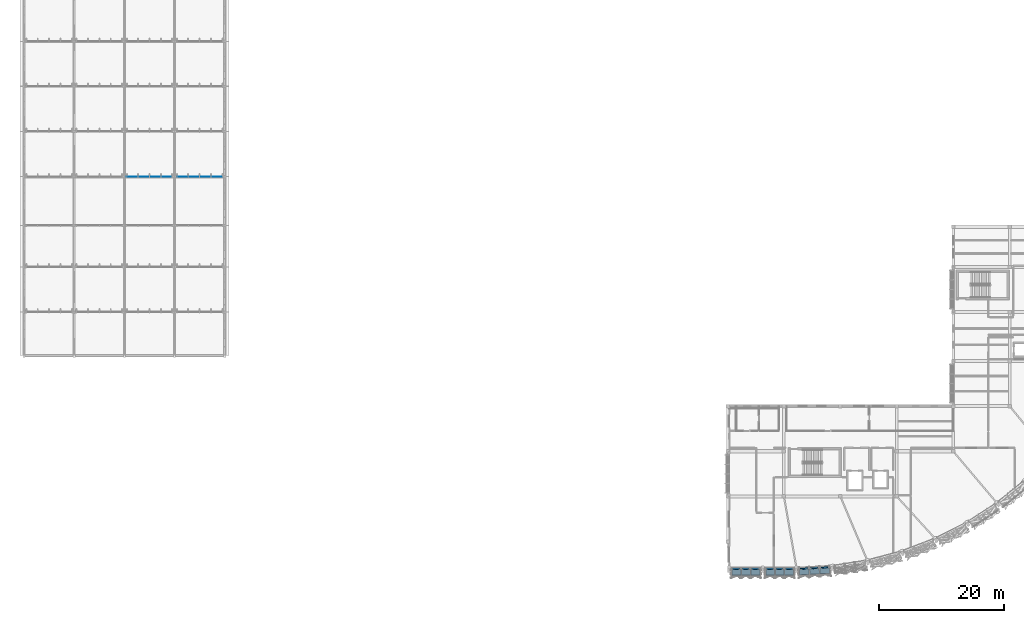
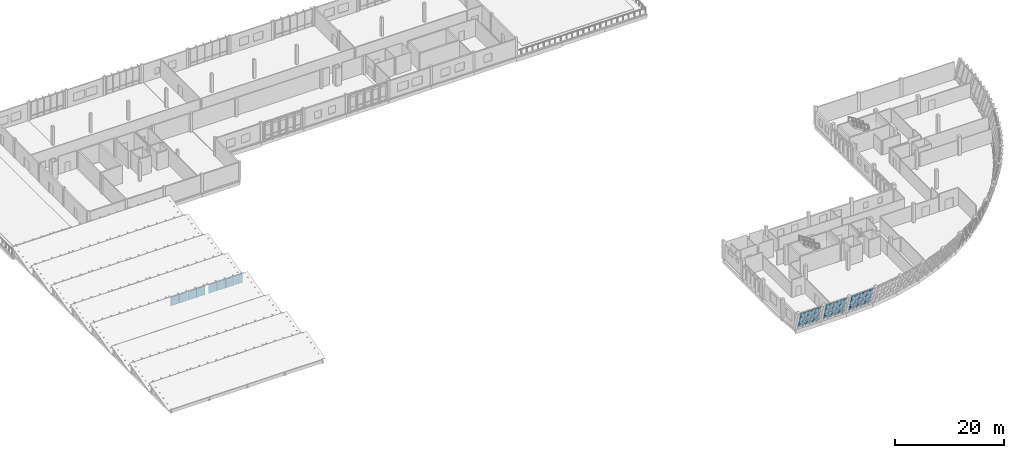
# One storey, part 72 of 94: 26 plates, 5 elements without a shape of their own.
"""IFC4 building model written with IfcOpenShell, lengths in metres."""

import ifcopenshell
import ifcopenshell.guid

model = None  # the IFC model being written
_history = None  # IfcOwnerHistory: only IFC2X3 demands one
_inside = {}  # id of a spatial element -> (the spatial element, [elements in it])
_under = {}  # id of a project, library or spatial element -> (it, [spatial elements below it])
_declared = {}  # id of a project -> (the project, [libraries it declares])
_typed = {}  # id of a type object -> (the type object, [elements of that type])
_made_of = {}  # id of a material, layer set ... -> (it, [elements and type objects made of it])


def new_model(schema):
    """Start an empty IFC model of exactly this schema.

    Asked for "IFC4X3", IfcOpenShell would pick the latest addendum, in which some entities
    have other attributes; the version numbers below select the first issue.
    IFC2X3 requires an IfcOwnerHistory on every rooted entity: one is made here for all.
    """
    global model, _history
    if schema == "IFC4X3":
        model = ifcopenshell.file(schema_version=(4, 3, 0, 0))
    else:
        model = ifcopenshell.file(schema=schema)
    _inside.clear()
    _under.clear()
    _declared.clear()
    _typed.clear()
    _made_of.clear()
    _history = None
    if model.schema == "IFC2X3":
        org = make("IfcOrganization", Name="unknown")
        user = make(
            "IfcPersonAndOrganization",
            ThePerson=make("IfcPerson", FamilyName="unknown"),
            TheOrganization=org,
        )
        app = make(
            "IfcApplication",
            ApplicationDeveloper=org,
            Version="unknown",
            ApplicationFullName="unknown",
            ApplicationIdentifier="unknown",
        )
        _history = make(
            "IfcOwnerHistory",
            OwningUser=user,
            OwningApplication=app,
            ChangeAction="ADDED",
            CreationDate=0,
        )
    return model


def make(cls, **values):
    """One entity of the class cls with the attributes given. An attribute that is None is left unset."""
    return model.create_entity(
        cls, **{name: value for name, value in values.items() if value is not None}
    )


def rooted(cls, **values):
    """An entity with a GlobalId (a new one), such as an element, a storey or a relation."""
    return make(cls, GlobalId=ifcopenshell.guid.new(), OwnerHistory=_history, **values)


def si_unit(unit_type, name, prefix=None):
    """IfcSIUnit, for example si_unit("LENGTHUNIT", "METRE", prefix="MILLI")."""
    return make("IfcSIUnit", UnitType=unit_type, Prefix=prefix, Name=name)


def assignment(units):
    """IfcUnitAssignment: the units of a project."""
    return None if units is None else make("IfcUnitAssignment", Units=units)


def point(xyz):
    """IfcCartesianPoint."""
    return None if xyz is None else make("IfcCartesianPoint", Coordinates=xyz)


def direction(xyz):
    """IfcDirection."""
    return None if xyz is None else make("IfcDirection", DirectionRatios=xyz)


def frame(location, z_axis=None, x_axis=None):
    """IfcAxis2Placement3D, a coordinate frame: its origin and axes. An axis left out is left unset."""
    return make(
        "IfcAxis2Placement3D",
        Location=point(location),
        Axis=direction(z_axis),
        RefDirection=direction(x_axis),
    )


def frame_2d(location, x_axis=None):
    """IfcAxis2Placement2D, a coordinate frame in the plane: its origin and x axis."""
    return make(
        "IfcAxis2Placement2D", Location=point(location), RefDirection=direction(x_axis)
    )


def origin():
    """The frame at (0, 0, 0) with its axes left unset."""
    return frame((0.0, 0.0, 0.0))


def origin_2d():
    """The frame at (0, 0) in the plane with its x axis left unset."""
    return frame_2d((0.0, 0.0))


def place(relative_to, where):
    """IfcLocalPlacement: puts the frame where relative to a parent placement (None: the world)."""
    return make(
        "IfcLocalPlacement", PlacementRelTo=relative_to, RelativePlacement=where
    )


def context(
    kind, dimensions, precision=None, world=None, true_north=None, identifier=None
):
    """IfcGeometricRepresentationContext, for example the 3D "Model" context."""
    return make(
        "IfcGeometricRepresentationContext",
        ContextIdentifier=identifier,
        ContextType=kind,
        CoordinateSpaceDimension=dimensions,
        Precision=precision,
        WorldCoordinateSystem=world,
        TrueNorth=true_north,
    )


def subcontext(parent, identifier, kind, view, scale=None):
    """IfcGeometricRepresentationSubContext, for example "Body" below "Model"."""
    return make(
        "IfcGeometricRepresentationSubContext",
        ContextIdentifier=identifier,
        ContextType=kind,
        ParentContext=parent,
        TargetScale=scale,
        TargetView=view,
    )


def project(units=None, contexts=None):
    """IfcProject with its units and contexts."""
    return rooted(
        "IfcProject",
        Name="project",
        RepresentationContexts=contexts,
        UnitsInContext=assignment(units),
    )


def spatial(cls, under=None, at=None, **own):
    """A site, building, storey or space (cls), placed at a placement, below another one or the project."""
    s = rooted(cls, ObjectPlacement=at, **own)
    if under is not None:
        _under.setdefault(under.id(), (under, []))[1].append(s)
    return s


def polyline(points):
    """IfcPolyline through the points."""
    return make("IfcPolyline", Points=[point(p) for p in points])


def profile(cls, at=None, kind="AREA", **sizes):
    """A parametric profile (cls). Its sizes go by their IFC names, for example OverallWidth=200.0."""
    return make(cls, ProfileType=kind, Position=at, **sizes)


def rectangle(**sizes):
    """IfcRectangleProfileDef."""
    return profile("IfcRectangleProfileDef", **sizes)


def outline(outer, holes=None, kind="AREA"):
    """IfcArbitraryClosedProfileDef: a profile drawn as a closed curve; with holes, ...WithVoids."""
    if holes is None:
        return make("IfcArbitraryClosedProfileDef", ProfileType=kind, OuterCurve=outer)
    return make(
        "IfcArbitraryProfileDefWithVoids",
        ProfileType=kind,
        OuterCurve=outer,
        InnerCurves=holes,
    )


def extrude(swept, where, along, depth):
    """IfcExtrudedAreaSolid: the profile swept, set in the frame where, extruded along a direction by depth."""
    return make(
        "IfcExtrudedAreaSolid",
        SweptArea=swept,
        Position=where,
        ExtrudedDirection=direction(along),
        Depth=depth,
    )


def shape(context_of_items, identifier, shape_type, items):
    """IfcShapeRepresentation: the items that make up one representation, for example the "Body"."""
    return make(
        "IfcShapeRepresentation",
        ContextOfItems=context_of_items,
        RepresentationIdentifier=identifier,
        RepresentationType=shape_type,
        Items=items,
    )


def material(Name=None, Category=None):
    """IfcMaterial."""
    return make("IfcMaterial", Name=Name, Category=Category)


def layer(
    of_material, thickness, ventilated=None, Name=None, Category=None, Priority=None
):
    """IfcMaterialLayer: one layer of a wall or slab, of a material (None: an air gap)."""
    return make(
        "IfcMaterialLayer",
        Material=of_material,
        LayerThickness=thickness,
        IsVentilated=ventilated,
        Name=Name,
        Category=Category,
        Priority=Priority,
    )


def layer_set(layers, Name=None):
    """IfcMaterialLayerSet."""
    return make("IfcMaterialLayerSet", MaterialLayers=layers, LayerSetName=Name)


def made_of(thing, what):
    """Note that an element or type object is made of a material, layer set ...; save() writes the relation."""
    if what is not None:
        _made_of.setdefault(what.id(), (what, []))[1].append(thing)
    return thing


def type_object(cls, material=None, **own):
    """A type object (cls), such as IfcWallType, which elements share."""
    return made_of(rooted(cls, **own), material)


def element(
    cls,
    number,
    at=None,
    inside=None,
    cuts=None,
    type_object=None,
    material=None,
    context=None,
    identifier="Body",
    shape_type=None,
    held_by="IfcProductDefinitionShape",
    body=None,
    shapes=None,
    **own,
):
    """One element of the class cls, such as IfcWall. Its Tag is "e" and its number.

    at: its placement. inside: the storey or other place that contains it. cuts: it is an
    opening in that element (IfcRelVoidsElement). A single representation is given by context,
    identifier, shape_type and body (its items); several are given by shapes. held_by: the class
    of the entity that holds the representations. save() writes the other relations.
    """
    e = rooted(cls, Tag="e%d" % number, ObjectPlacement=at, **own)
    if body is not None:
        shapes = [shape(context, identifier, shape_type, body)]
    if shapes is not None:
        e.Representation = make(held_by, Representations=shapes)
    if inside is not None:
        _inside.setdefault(inside.id(), (inside, []))[1].append(e)
    if cuts is not None:
        rooted(
            "IfcRelVoidsElement", RelatingBuildingElement=cuts, RelatedOpeningElement=e
        )
    if type_object is not None:
        _typed.setdefault(type_object.id(), (type_object, []))[1].append(e)
    return made_of(e, material)


def aggregate(whole, parts):
    """IfcRelAggregates: a whole, such as a stair, and the parts it consists of."""
    return rooted("IfcRelAggregates", RelatingObject=whole, RelatedObjects=parts)


def save(model, path):
    """Write the relations noted so far, then the file.

    IfcRelAggregates (storeys below a building ...), IfcRelContainedInSpatialStructure (elements
    in a storey), IfcRelDefinesByType, IfcRelAssociatesMaterial and IfcRelDeclares: one each for
    every whole, place, type object, material and project.
    """
    for whole, parts in _under.values():
        aggregate(whole, parts)
    for where, things in _inside.values():
        rooted(
            "IfcRelContainedInSpatialStructure",
            RelatedElements=things,
            RelatingStructure=where,
        )
    for kind, things in _typed.values():
        rooted("IfcRelDefinesByType", RelatedObjects=things, RelatingType=kind)
    for what, things in _made_of.values():
        rooted("IfcRelAssociatesMaterial", RelatedObjects=things, RelatingMaterial=what)
    for by, libraries in _declared.values():
        rooted("IfcRelDeclares", RelatingContext=by, RelatedDefinitions=libraries)
    model.write(path)


model = new_model("IFC4")

# Units and contexts
model_context = context("Model", 3, precision=1e-05, world=origin(), true_north=direction((0.0, 1.0)))
body_context = subcontext(model_context, "Body", "Model", "MODEL_VIEW")
ifc_project = project(units=[si_unit("LENGTHUNIT", "METRE"), si_unit("AREAUNIT", "SQUARE_METRE"), si_unit("VOLUMEUNIT", "CUBIC_METRE"), si_unit("PLANEANGLEUNIT", "RADIAN"), si_unit("MASSUNIT", "GRAM", prefix="KILO")], contexts=[model_context])

# Site, building, storey
site_placement = place(None, origin())
site = spatial("IfcSite", under=ifc_project, at=site_placement, CompositionType="ELEMENT")
building_placement = place(site_placement, origin())
building = spatial("IfcBuilding", under=site, at=building_placement, Name="Chiffa Square Polytechnic", CompositionType="ELEMENT")
storey_placement = place(building_placement, frame((0.0, 0.0, 18.0)))
storey = spatial("IfcBuildingStorey", under=building, at=storey_placement, Name="L04", CompositionType="ELEMENT", Elevation=18.0)

# Curtain wall, plates
ifc_material_1 = material(Name="Aluminium EN AW-6060 T66 and glulam shading", Category="wood")
curtain_wall_type_1 = type_object("IfcCurtainWallType", Name="CW-PROW-LEAN-150", PredefinedType="USERDEFINED", material=ifc_material_1)
curtain_wall_1_placement = place(storey_placement, origin())
curtain_wall_1 = element("IfcCurtainWall", 1, at=curtain_wall_1_placement, inside=storey, type_object=curtain_wall_type_1, Name="Outward-leaning diamond-fin prow curtain wall CW-V1-L04-063", ObjectType="CURTAIN WALL", PredefinedType="USERDEFINED")
ifc_material_2 = material(Name="Double glazing", Category="glass")
ifc_layer_1 = layer(ifc_material_2, 0.0439453125, Name="Double glazing")
ifc_layer_set_1 = layer_set([ifc_layer_1], Name="Double glazing")
plate_type_1 = type_object("IfcPlateType", Name="CWP-GLZ-132X114", PredefinedType="CURTAIN_PANEL", material=ifc_layer_set_1)
plate_1_placement = place(storey_placement, frame((123.687255859375, 2.75048828125, 0.8779296875), z_axis=(-0.050191727334, 0.96100117444, 0.271951343502), x_axis=(0.998638902456, 0.052156902683, 2.084064e-06)))
plate_1 = element("IfcPlate", 2, at=plate_1_placement, type_object=plate_type_1, Name="Leaning prow curtain panel CW-V1-L04-063-PN01", PredefinedType="CURTAIN_PANEL", context=body_context, shape_type="SweptSolid", body=[
    extrude(outline(polyline([(0.0, 0.0), (1.502777270302049, 0.0), (1.4868560689312402, -3.135251218373087), (-0.04354794389854448, -3.1352577872933116), (0.0, 0.0)])), origin(), (0.0, 0.0, -1.0), 0.0439453125),
])
plate_2_placement = place(storey_placement, frame((125.304443359375, 2.8349609375, 0.8779296875), z_axis=(-0.050110616696, 0.961008550171, 0.271940237171), x_axis=(0.998643016675, 0.052078065706, -1.7831108e-05)))
plate_2 = element("IfcPlate", 3, at=plate_2_placement, type_object=plate_type_1, Name="Leaning prow curtain panel CW-V1-L04-063-PN02", PredefinedType="CURTAIN_PANEL", context=body_context, shape_type="SweptSolid", body=[
    extrude(outline(polyline([(0.0, 0.0), (1.5030210755887357, 3.469446951953614e-18), (1.5166843134185324, -3.1352723165332166), (-0.013706979014970248, -3.13521610920877), (0.0, 0.0)])), origin(), (0.0, 0.0, -1.0), 0.0439453125),
])
plate_3_placement = place(storey_placement, frame((126.921875, 2.91943359375, 0.8779296875), z_axis=(-0.050192054732, 0.961007442998, 0.27192913074), x_axis=(0.998638902451, 0.052156902779, 2.083907e-06)))
plate_3 = element("IfcPlate", 4, at=plate_3_placement, type_object=plate_type_1, Name="Leaning prow curtain panel CW-V1-L04-063-PN03", PredefinedType="CURTAIN_PANEL", context=body_context, shape_type="SweptSolid", body=[
    extrude(outline(polyline([(0.0, 0.0), (1.5027772703020486, 3.469446951953614e-18), (1.5462670285894504, -3.1352306390224247), (0.015863015759663705, -3.1352372074061057), (0.0, 0.0)])), origin(), (0.0, 0.0, -1.0), 0.0439453125),
])

curtain_wall_type_2 = type_object("IfcCurtainWallType", Name="CW-PROW-LEAN-300", PredefinedType="USERDEFINED", material=ifc_material_1)
curtain_wall_2_placement = place(storey_placement, origin())
curtain_wall_2 = element("IfcCurtainWall", 5, at=curtain_wall_2_placement, inside=storey, type_object=curtain_wall_type_2, Name="Outward-leaning diamond-fin prow curtain wall CW-V1-L04-062", ObjectType="CURTAIN WALL", PredefinedType="USERDEFINED")
ifc_layer_2 = layer(ifc_material_2, 0.0439453125, Name="Double glazing")
ifc_layer_set_2 = layer_set([ifc_layer_2], Name="Double glazing")
plate_type_2 = type_object("IfcPlateType", Name="CWP-GLZ-134X118", PredefinedType="CURTAIN_PANEL", material=ifc_layer_set_2)
plate_4_placement = place(storey_placement, frame((118.30908203125, 2.724609375, 0.8779296875), z_axis=(0.0, 0.962196806746, 0.272355108431), x_axis=(1.0, 0.0, 0.0)))
plate_4 = element("IfcPlate", 6, at=plate_4_placement, type_object=plate_type_2, Name="Leaning prow curtain panel CW-V1-L04-062-PN01", PredefinedType="CURTAIN_PANEL", context=body_context, shape_type="SweptSolid", body=[
    extrude(outline(polyline([(0.0, 0.0), (1.396728515625, 0.0), (1.396728515625, -3.135626539808218), (0.0, -3.135626539808218), (0.0, 0.0)])), origin(), (0.0, 0.0, -1.0), 0.0439453125),
])
plate_5_placement = place(storey_placement, frame((119.814208984375, 2.724609375, 0.8779296875), z_axis=(0.0, 0.962196806746, 0.272355108431), x_axis=(1.0, 0.0, 0.0)))
plate_5 = element("IfcPlate", 7, at=plate_5_placement, type_object=plate_type_2, Name="Leaning prow curtain panel CW-V1-L04-062-PN02", PredefinedType="CURTAIN_PANEL", context=body_context, shape_type="SweptSolid", body=[
    extrude(outline(polyline([(0.0, 0.0), (1.396484375, 0.0), (1.396484375, -3.1356265398082184), (0.0, -3.1356265398082184), (0.0, 0.0)])), origin(), (0.0, 0.0, -1.0), 0.0439453125),
])
plate_6_placement = place(storey_placement, frame((121.319091796875, 2.724609375, 0.8779296875), z_axis=(0.0, 0.962196806746, 0.272355108431), x_axis=(1.0, 0.0, 0.0)))
plate_6 = element("IfcPlate", 8, at=plate_6_placement, type_object=plate_type_2, Name="Leaning prow curtain panel CW-V1-L04-062-PN03", PredefinedType="CURTAIN_PANEL", context=body_context, shape_type="SweptSolid", body=[
    extrude(outline(polyline([(0.0, 0.0), (1.396728515625, 0.0), (1.396728515625, -3.135626539808218), (0.0, -3.135626539808218), (0.0, 0.0)])), origin(), (0.0, 0.0, -1.0), 0.0439453125),
])

curtain_wall_3_placement = place(storey_placement, origin())
curtain_wall_3 = element("IfcCurtainWall", 9, at=curtain_wall_3_placement, inside=storey, type_object=curtain_wall_type_1, Name="Outward-leaning diamond-fin prow curtain wall CW-V1-L04-061", ObjectType="CURTAIN WALL", PredefinedType="USERDEFINED")
ifc_layer_3 = layer(ifc_material_2, 0.0419921875, Name="Double glazing")
ifc_layer_set_3 = layer_set([ifc_layer_3], Name="Double glazing")
plate_type_3 = type_object("IfcPlateType", Name="CWP-GLZ-136X122", PredefinedType="CURTAIN_PANEL", material=ifc_layer_set_3)
plate_7_placement = place(storey_placement, frame((112.93408203125, 2.724609375, 0.8779296875), z_axis=(0.0, 0.962196806746, 0.272355108431), x_axis=(1.0, 0.0, 0.0)))
plate_7 = element("IfcPlate", 10, at=plate_7_placement, type_object=plate_type_3, Name="Leaning prow curtain panel CW-V1-L04-061-PN01", PredefinedType="CURTAIN_PANEL", context=body_context, shape_type="SweptSolid", body=[
    extrude(outline(polyline([(0.0, 0.0), (1.396728515625, 0.0), (1.396728515625, -3.135626539808218), (0.0, -3.135626539808218), (0.0, 0.0)])), origin(), (0.0, 0.0, -1.0), 0.0419921875),
])
plate_8_placement = place(storey_placement, frame((114.439208984375, 2.724609375, 0.8779296875), z_axis=(0.0, 0.962196806746, 0.272355108431), x_axis=(1.0, 0.0, 0.0)))
plate_8 = element("IfcPlate", 11, at=plate_8_placement, type_object=plate_type_3, Name="Leaning prow curtain panel CW-V1-L04-061-PN02", PredefinedType="CURTAIN_PANEL", context=body_context, shape_type="SweptSolid", body=[
    extrude(outline(polyline([(0.0, 0.0), (1.396484375, 0.0), (1.396484375, -3.1356265398082184), (0.0, -3.1356265398082184), (0.0, 0.0)])), origin(), (0.0, 0.0, -1.0), 0.0419921875),
])
plate_9_placement = place(storey_placement, frame((115.944091796875, 2.724609375, 0.8779296875), z_axis=(0.0, 0.962196806746, 0.272355108431), x_axis=(1.0, 0.0, 0.0)))
plate_9 = element("IfcPlate", 12, at=plate_9_placement, type_object=plate_type_3, Name="Leaning prow curtain panel CW-V1-L04-061-PN03", PredefinedType="CURTAIN_PANEL", context=body_context, shape_type="SweptSolid", body=[
    extrude(outline(polyline([(0.0, 0.0), (1.396728515625, 0.0), (1.396728515625, -3.135626539808218), (0.0, -3.135626539808218), (0.0, 0.0)])), origin(), (0.0, 0.0, -1.0), 0.0419921875),
])

curtain_wall_type_3 = type_object("IfcCurtainWallType", Name="CW-VERT-540X440", PredefinedType="USERDEFINED", material=ifc_material_1)
curtain_wall_4_placement = place(storey_placement, origin())
curtain_wall_4 = element("IfcCurtainWall", 13, at=curtain_wall_4_placement, inside=storey, type_object=curtain_wall_type_3, Name="Curtain wall CW-V6-SAW4-3", ObjectType="CURTAIN WALL", PredefinedType="USERDEFINED")
ifc_layer_4 = layer(ifc_material_2, 0.035888671875, Name="Double glazing")
ifc_layer_set_4 = layer_set([ifc_layer_4], Name="Double glazing")
plate_type_4 = type_object("IfcPlateType", Name="CWP-GLZ-150X145", PredefinedType="CURTAIN_PANEL", material=ifc_layer_set_4)
plate_10_placement = place(storey_placement, frame((22.718994140625, 65.39990234375, 0.75), z_axis=(0.0, 0.0, 1.0), x_axis=(-1.0, 0.0, 0.0)))
plate_10 = element("IfcPlate", 14, at=plate_10_placement, type_object=plate_type_4, Name="Glazed curtain panel CW-V6-SAW4-3-PN01", PredefinedType="CURTAIN_PANEL", context=body_context, shape_type="SweptSolid", body=[
    extrude(rectangle(XDim=1.74609375, YDim=0.035888671875, at=origin_2d()), origin(), (0.0, 0.0, 1.0), 1.93994140625),
])
plate_11_placement = place(storey_placement, frame((20.909912109375, 65.39990234375, 0.75), z_axis=(0.0, 0.0, 1.0), x_axis=(-1.0, 0.0, 0.0)))
plate_11 = element("IfcPlate", 15, at=plate_11_placement, type_object=plate_type_4, Name="Glazed curtain panel CW-V6-SAW4-3-PN02", PredefinedType="CURTAIN_PANEL", context=body_context, shape_type="SweptSolid", body=[
    extrude(rectangle(XDim=1.76806640625, YDim=0.035888671875, at=origin_2d()), origin(), (0.0, 0.0, 1.0), 1.93994140625),
])
plate_12_placement = place(storey_placement, frame((19.090087890625, 65.39990234375, 0.75), z_axis=(0.0, 0.0, 1.0), x_axis=(-1.0, 0.0, 0.0)))
plate_12 = element("IfcPlate", 16, at=plate_12_placement, type_object=plate_type_4, Name="Glazed curtain panel CW-V6-SAW4-3-PN03", PredefinedType="CURTAIN_PANEL", context=body_context, shape_type="SweptSolid", body=[
    extrude(rectangle(XDim=1.76806640625, YDim=0.035888671875, at=origin_2d()), origin(), (0.0, 0.0, 1.0), 1.93994140625),
])
plate_13_placement = place(storey_placement, frame((17.281005859375, 65.39990234375, 0.75), z_axis=(0.0, 0.0, 1.0), x_axis=(-1.0, 0.0, 0.0)))
plate_13 = element("IfcPlate", 17, at=plate_13_placement, type_object=plate_type_4, Name="Glazed curtain panel CW-V6-SAW4-3-PN04", PredefinedType="CURTAIN_PANEL", context=body_context, shape_type="SweptSolid", body=[
    extrude(rectangle(XDim=1.74609375, YDim=0.035888671875, at=origin_2d()), origin(), (0.0, 0.0, 1.0), 1.93994140625),
])
aggregate(curtain_wall_4, [plate_10, plate_11, plate_12, plate_13])

curtain_wall_type_4 = type_object("IfcCurtainWallType", Name="CW-VERT-450X440", PredefinedType="USERDEFINED", material=ifc_material_1)
curtain_wall_5_placement = place(storey_placement, origin())
curtain_wall_5 = element("IfcCurtainWall", 18, at=curtain_wall_5_placement, inside=storey, type_object=curtain_wall_type_4, Name="Curtain wall CW-V6-SAW4-4", ObjectType="CURTAIN WALL", PredefinedType="USERDEFINED")
plate_14_placement = place(storey_placement, frame((30.718994140625, 65.39990234375, 0.75), z_axis=(0.0, 0.0, 1.0), x_axis=(-1.0, 0.0, 0.0)))
plate_14 = element("IfcPlate", 19, at=plate_14_placement, type_object=plate_type_4, Name="Glazed curtain panel CW-V6-SAW4-4-PN01", PredefinedType="CURTAIN_PANEL", context=body_context, shape_type="SweptSolid", body=[
    extrude(rectangle(XDim=1.74609375, YDim=0.035888671875, at=origin_2d()), origin(), (0.0, 0.0, 1.0), 1.93994140625),
])
plate_15_placement = place(storey_placement, frame((28.909912109375, 65.39990234375, 0.75), z_axis=(0.0, 0.0, 1.0), x_axis=(-1.0, 0.0, 0.0)))
plate_15 = element("IfcPlate", 20, at=plate_15_placement, type_object=plate_type_4, Name="Glazed curtain panel CW-V6-SAW4-4-PN02", PredefinedType="CURTAIN_PANEL", context=body_context, shape_type="SweptSolid", body=[
    extrude(rectangle(XDim=1.76806640625, YDim=0.035888671875, at=origin_2d()), origin(), (0.0, 0.0, 1.0), 1.93994140625),
])
plate_16_placement = place(storey_placement, frame((27.090087890625, 65.39990234375, 0.75), z_axis=(0.0, 0.0, 1.0), x_axis=(-1.0, 0.0, 0.0)))
plate_16 = element("IfcPlate", 21, at=plate_16_placement, type_object=plate_type_4, Name="Glazed curtain panel CW-V6-SAW4-4-PN03", PredefinedType="CURTAIN_PANEL", context=body_context, shape_type="SweptSolid", body=[
    extrude(rectangle(XDim=1.76806640625, YDim=0.035888671875, at=origin_2d()), origin(), (0.0, 0.0, 1.0), 1.93994140625),
])
plate_17_placement = place(storey_placement, frame((25.281005859375, 65.39990234375, 0.75), z_axis=(0.0, 0.0, 1.0), x_axis=(-1.0, 0.0, 0.0)))
plate_17 = element("IfcPlate", 22, at=plate_17_placement, type_object=plate_type_4, Name="Glazed curtain panel CW-V6-SAW4-4-PN04", PredefinedType="CURTAIN_PANEL", context=body_context, shape_type="SweptSolid", body=[
    extrude(rectangle(XDim=1.74609375, YDim=0.035888671875, at=origin_2d()), origin(), (0.0, 0.0, 1.0), 1.93994140625),
])
aggregate(curtain_wall_5, [plate_14, plate_15, plate_16, plate_17])

# Plate
ifc_material_3 = material(Name="Aluminium insulated spandrel", Category="aluminium")
ifc_layer_5 = layer(ifc_material_3, 0.072021484375, Name="Aluminium insulated spandrel")
ifc_layer_set_5 = layer_set([ifc_layer_5], Name="Aluminium insulated spandrel")
plate_type_5 = type_object("IfcPlateType", Name="CWP-SPN-136X072", PredefinedType="SHEET", material=ifc_layer_set_5)
plate_18_placement = place(storey_placement, frame((112.93408203125, 2.958984375, 0.050048828125), z_axis=(0.0, 0.962198523194, 0.272349044358), x_axis=(1.0, 0.0, 0.0)))
plate_18 = element("IfcPlate", 23, at=plate_18_placement, type_object=plate_type_5, Name="Leaning prow curtain panel CW-V1-L04-061-SP01", PredefinedType="SHEET", context=body_context, shape_type="SweptSolid", body=[
    extrude(outline(polyline([(0.0, 0.0), (1.396728515625, 0.0), (1.396728515625, -0.8023008117775327), (0.0, -0.8023008117775327), (0.0, 0.0)])), origin(), (0.0, 0.0, -1.0), 0.072021484375),
])

plate_19_placement = place(storey_placement, frame((114.439208984375, 2.958984375, 0.050048828125), z_axis=(0.0, 0.962198523194, 0.272349044358), x_axis=(1.0, 0.0, 0.0)))
plate_19 = element("IfcPlate", 24, at=plate_19_placement, type_object=plate_type_5, Name="Leaning prow curtain panel CW-V1-L04-061-SP02", PredefinedType="SHEET", context=body_context, shape_type="SweptSolid", body=[
    extrude(outline(polyline([(0.0, 0.0), (1.396484375, 0.0), (1.396484375, -0.8023008117775327), (0.0, -0.8023008117775327), (0.0, 0.0)])), origin(), (0.0, 0.0, -1.0), 0.072021484375),
])

plate_20_placement = place(storey_placement, frame((115.944091796875, 2.958984375, 0.050048828125), z_axis=(0.0, 0.962198523194, 0.272349044358), x_axis=(1.0, 0.0, 0.0)))
plate_20 = element("IfcPlate", 25, at=plate_20_placement, type_object=plate_type_5, Name="Leaning prow curtain panel CW-V1-L04-061-SP03", PredefinedType="SHEET", context=body_context, shape_type="SweptSolid", body=[
    extrude(outline(polyline([(0.0, 0.0), (1.396728515625, 0.0), (1.396728515625, -0.8023008117775327), (0.0, -0.8023008117775327), (0.0, 0.0)])), origin(), (0.0, 0.0, -1.0), 0.072021484375),
])

aggregate(curtain_wall_3, [plate_18, plate_7, plate_19, plate_8, plate_20, plate_9])

ifc_layer_6 = layer(ifc_material_3, 0.06005859375, Name="Aluminium insulated spandrel")
ifc_layer_set_6 = layer_set([ifc_layer_6], Name="Aluminium insulated spandrel")
plate_type_6 = type_object("IfcPlateType", Name="CWP-SPN-150X080", PredefinedType="SHEET", material=ifc_layer_set_6)
plate_21_placement = place(storey_placement, frame((123.68701171875, 2.98486328125, 0.050048828125), z_axis=(-0.050238527183, 0.960958785952, 0.272092451362), x_axis=(0.998636054691, 0.052211398664, -1.1017187e-05)))
plate_21 = element("IfcPlate", 26, at=plate_21_placement, type_object=plate_type_6, Name="Leaning prow curtain panel CW-V1-L04-063-SP01", PredefinedType="SHEET", context=body_context, shape_type="SweptSolid", body=[
    extrude(outline(polyline([(0.0, 0.0), (1.4952064839015355, -3.469446951953614e-18), (1.491116458239871, -0.8022573602494769), (-0.0111731938708182, -0.8022230414647458), (0.0, 0.0)])), origin(), (0.0, 0.0, -1.0), 0.06005859375),
])

plate_22_placement = place(storey_placement, frame((125.296142578125, 3.06884765625, 0.050048828125), z_axis=(-0.05024010278, 0.960988923854, 0.271985698709), x_axis=(0.998636054818, 0.052211396224, -1.101321e-05)))
plate_22 = element("IfcPlate", 27, at=plate_22_placement, type_object=plate_type_6, Name="Leaning prow curtain panel CW-V1-L04-063-SP02", PredefinedType="SHEET", context=body_context, shape_type="SweptSolid", body=[
    extrude(outline(polyline([(0.0, 0.0), (1.4952064839014592, 0.0), (1.4986999922371418, -0.8022322810105714), (-0.0035896598737788087, -0.8021979756904597), (0.0, 0.0)])), origin(), (0.0, 0.0, -1.0), 0.06005859375),
])

plate_23_placement = place(storey_placement, frame((126.9052734375, 3.15283203125, 0.050048828125), z_axis=(-0.050241677858, 0.961019051818, 0.271878936015), x_axis=(0.998636054946, 0.052211393784, -1.1009232e-05)))
plate_23 = element("IfcPlate", 28, at=plate_23_placement, type_object=plate_type_6, Name="Leaning prow curtain panel CW-V1-L04-063-SP03", PredefinedType="SHEET", context=body_context, shape_type="SweptSolid", body=[
    extrude(outline(polyline([(0.0, 0.0), (1.4952064839013819, 3.469446951953614e-18), (1.506283526234413, -0.8022072115763037), (0.003993874123261409, -0.8021729197220779), (0.0, 0.0)])), origin(), (0.0, 0.0, -1.0), 0.06005859375),
])

aggregate(curtain_wall_1, [plate_21, plate_1, plate_22, plate_2, plate_23, plate_3])

ifc_layer_7 = layer(ifc_material_3, 0.06005859375, Name="Aluminium insulated spandrel")
ifc_layer_set_7 = layer_set([ifc_layer_7], Name="Aluminium insulated spandrel")
plate_type_7 = type_object("IfcPlateType", Name="CWP-SPN-150X095", PredefinedType="SHEET", material=ifc_layer_set_7)
plate_24_placement = place(storey_placement, frame((118.30908203125, 2.958984375, 0.050048828125), z_axis=(0.0, 0.962198523194, 0.272349044358), x_axis=(1.0, 0.0, 0.0)))
plate_24 = element("IfcPlate", 29, at=plate_24_placement, type_object=plate_type_7, Name="Leaning prow curtain panel CW-V1-L04-062-SP01", PredefinedType="SHEET", context=body_context, shape_type="SweptSolid", body=[
    extrude(outline(polyline([(0.0, 0.0), (1.396728515625, 0.0), (1.396728515625, -0.8023008117775327), (0.0, -0.8023008117775327), (0.0, 0.0)])), origin(), (0.0, 0.0, -1.0), 0.06005859375),
])

plate_25_placement = place(storey_placement, frame((119.814208984375, 2.958984375, 0.050048828125), z_axis=(0.0, 0.962198523194, 0.272349044358), x_axis=(1.0, 0.0, 0.0)))
plate_25 = element("IfcPlate", 30, at=plate_25_placement, type_object=plate_type_7, Name="Leaning prow curtain panel CW-V1-L04-062-SP02", PredefinedType="SHEET", context=body_context, shape_type="SweptSolid", body=[
    extrude(outline(polyline([(0.0, 0.0), (1.396484375, 0.0), (1.396484375, -0.8023008117775327), (0.0, -0.8023008117775327), (0.0, 0.0)])), origin(), (0.0, 0.0, -1.0), 0.06005859375),
])

plate_26_placement = place(storey_placement, frame((121.319091796875, 2.958984375, 0.050048828125), z_axis=(0.0, 0.962198523194, 0.272349044358), x_axis=(1.0, 0.0, 0.0)))
plate_26 = element("IfcPlate", 31, at=plate_26_placement, type_object=plate_type_7, Name="Leaning prow curtain panel CW-V1-L04-062-SP03", PredefinedType="SHEET", context=body_context, shape_type="SweptSolid", body=[
    extrude(outline(polyline([(0.0, 0.0), (1.396728515625, 0.0), (1.396728515625, -0.8023008117775327), (0.0, -0.8023008117775327), (0.0, 0.0)])), origin(), (0.0, 0.0, -1.0), 0.06005859375),
])

aggregate(curtain_wall_2, [plate_24, plate_4, plate_25, plate_5, plate_26, plate_6])

save(model, "model.ifc")
